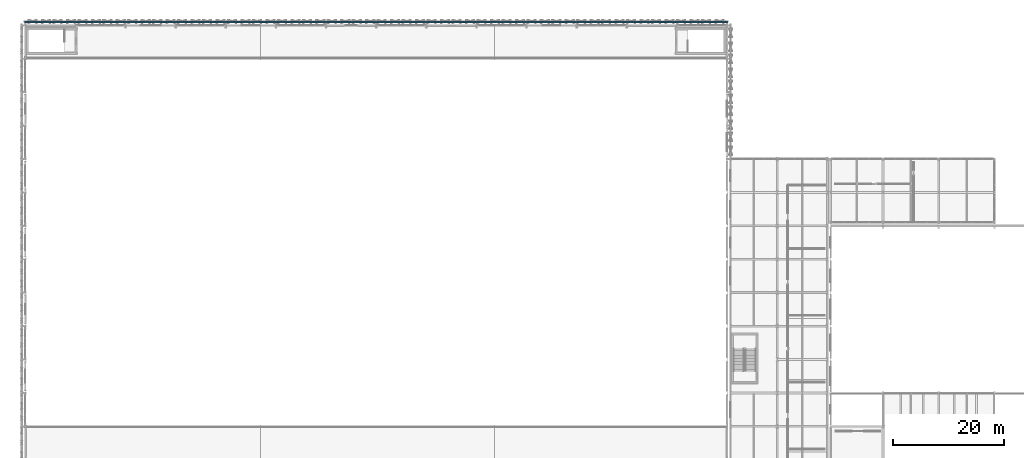
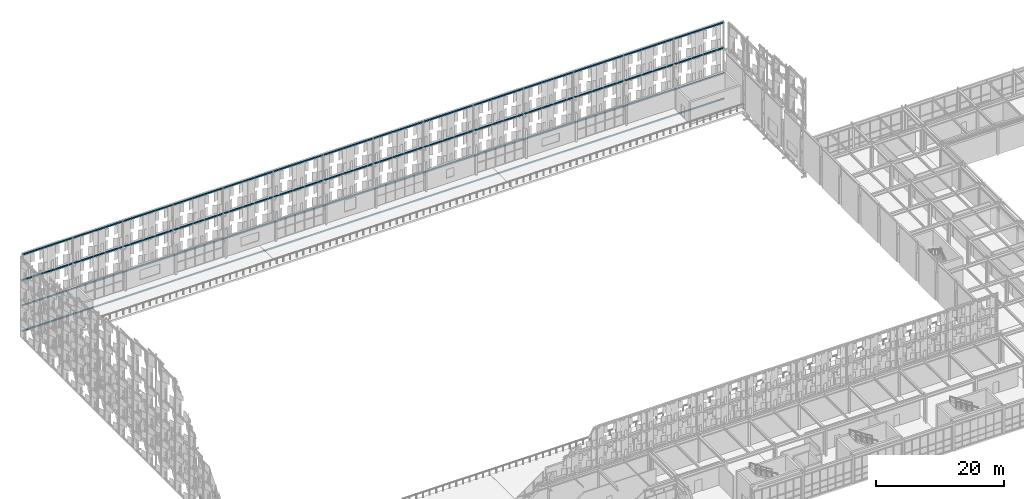
# One storey, part 171 of 210: 4 discrete accessories.
"""IFC4 building model written with IfcOpenShell, lengths in metres."""

from ifc_helpers import new_model, si_unit, direction, frame, origin, origin_2d, place, context, subcontext, project, spatial, rectangle, extrude, material, type_object, element, save


model = new_model("IFC4")

# Units and contexts
model_context = context("Model", 3, precision=1e-05, world=origin(), true_north=direction((0.0, 1.0)))
body_context = subcontext(model_context, "Body", "Model", "MODEL_VIEW")
ifc_project = project(units=[si_unit("LENGTHUNIT", "METRE"), si_unit("AREAUNIT", "SQUARE_METRE"), si_unit("VOLUMEUNIT", "CUBIC_METRE"), si_unit("PLANEANGLEUNIT", "RADIAN"), si_unit("MASSUNIT", "GRAM", prefix="KILO")], contexts=[model_context])

# Site, building, storey
site_placement = place(None, origin())
site = spatial("IfcSite", under=ifc_project, at=site_placement, CompositionType="ELEMENT")
building_placement = place(site_placement, origin())
building = spatial("IfcBuilding", under=site, at=building_placement, Name="Kaldris Quays Convention Centre", CompositionType="ELEMENT")
storey_placement = place(building_placement, frame((0.0, 0.0, 6.0)))
storey = spatial("IfcBuildingStorey", under=building, at=storey_placement, Name="L01", CompositionType="ELEMENT", Elevation=6.0)

# Discrete accessories
ifc_material = material(Name="Steel S355J2", Category="steel")
discrete_accessory_type = type_object("IfcDiscreteAccessoryType", Name="SCREEN OUTRIGGER BRACKET BK01", PredefinedType="BRACKET", material=ifc_material)
for number, where, z_axis, x_axis, name in (
    (1, (83.0, 140.580078125, -1.9599609375), (0.0, 0.0, 1.0), (1.0, 0.0, 0.0), "V1N Screen Carrier Rail 156"),
    (2, (83.0, 140.580078125, 2.873046875), (0.0, 0.0, 1.0), (1.0, 0.0, 0.0), "V1N Screen Carrier Rail 157"),
    (3, (83.0, 140.580078125, 7.70703125), (0.0, 0.0, 1.0), (1.0, 0.0, 0.0), "V1N Screen Carrier Rail 158"),
    (4, (83.0, 140.580078125, 12.5400390625), (0.0, 0.0, 1.0), (1.0, 0.0, 0.0), "V1N Screen Carrier Rail 159"),
):
    element("IfcDiscreteAccessory", number, at=place(storey_placement, frame(where, z_axis=z_axis, x_axis=x_axis)), inside=storey, type_object=discrete_accessory_type, Name=name, PredefinedType="BRACKET", context=body_context, shape_type="SweptSolid", body=[
        extrude(rectangle(XDim=126.199951171875, YDim=0.219970703125, at=origin_2d()), origin(), (0.0, 0.0, 1.0), 0.219970703125),
    ])

save(model, "model.ifc")
